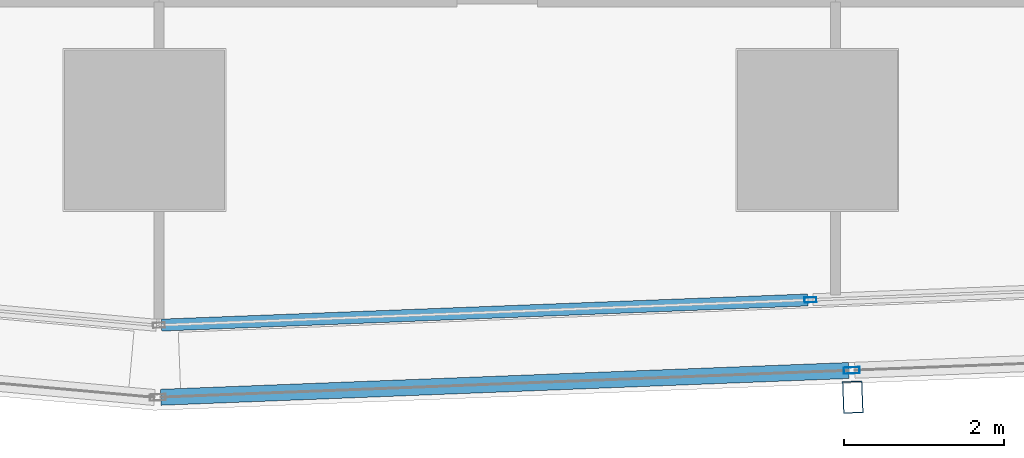
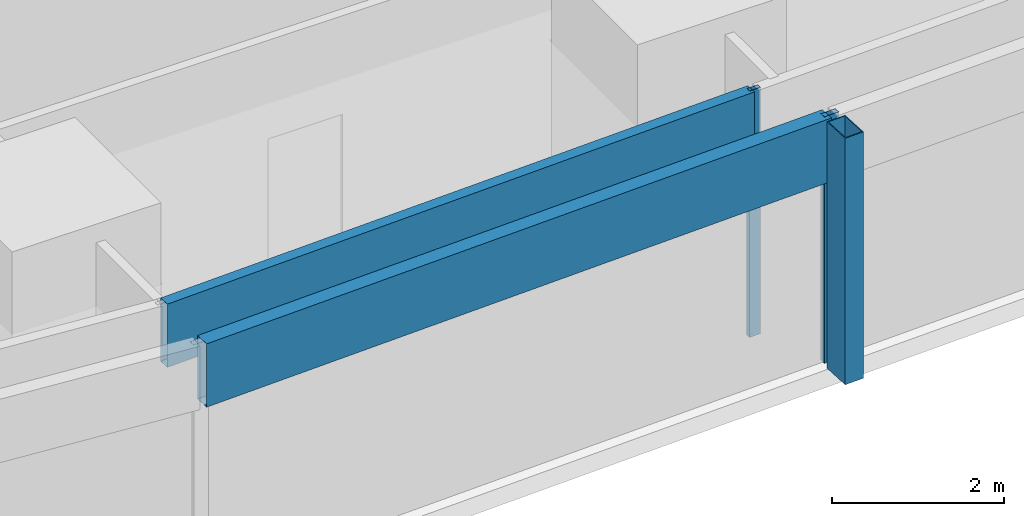
# One storey, part 6 of 39: 5 members, 2 elements without a shape of their own.
"""IFC4 building model written with IfcOpenShell, lengths in metres."""

import ifcopenshell
import ifcopenshell.guid

model = None  # the IFC model being written
_history = None  # IfcOwnerHistory: only IFC2X3 demands one
_inside = {}  # id of a spatial element -> (the spatial element, [elements in it])
_under = {}  # id of a project, library or spatial element -> (it, [spatial elements below it])
_declared = {}  # id of a project -> (the project, [libraries it declares])
_typed = {}  # id of a type object -> (the type object, [elements of that type])
_made_of = {}  # id of a material, layer set ... -> (it, [elements and type objects made of it])


def new_model(schema):
    """Start an empty IFC model of exactly this schema.

    Asked for "IFC4X3", IfcOpenShell would pick the latest addendum, in which some entities
    have other attributes; the version numbers below select the first issue.
    IFC2X3 requires an IfcOwnerHistory on every rooted entity: one is made here for all.
    """
    global model, _history
    if schema == "IFC4X3":
        model = ifcopenshell.file(schema_version=(4, 3, 0, 0))
    else:
        model = ifcopenshell.file(schema=schema)
    _inside.clear()
    _under.clear()
    _declared.clear()
    _typed.clear()
    _made_of.clear()
    _history = None
    if model.schema == "IFC2X3":
        org = make("IfcOrganization", Name="unknown")
        user = make(
            "IfcPersonAndOrganization",
            ThePerson=make("IfcPerson", FamilyName="unknown"),
            TheOrganization=org,
        )
        app = make(
            "IfcApplication",
            ApplicationDeveloper=org,
            Version="unknown",
            ApplicationFullName="unknown",
            ApplicationIdentifier="unknown",
        )
        _history = make(
            "IfcOwnerHistory",
            OwningUser=user,
            OwningApplication=app,
            ChangeAction="ADDED",
            CreationDate=0,
        )
    return model


def make(cls, **values):
    """One entity of the class cls with the attributes given. An attribute that is None is left unset."""
    return model.create_entity(
        cls, **{name: value for name, value in values.items() if value is not None}
    )


def rooted(cls, **values):
    """An entity with a GlobalId (a new one), such as an element, a storey or a relation."""
    return make(cls, GlobalId=ifcopenshell.guid.new(), OwnerHistory=_history, **values)


def si_unit(unit_type, name, prefix=None):
    """IfcSIUnit, for example si_unit("LENGTHUNIT", "METRE", prefix="MILLI")."""
    return make("IfcSIUnit", UnitType=unit_type, Prefix=prefix, Name=name)


def assignment(units):
    """IfcUnitAssignment: the units of a project."""
    return None if units is None else make("IfcUnitAssignment", Units=units)


def point(xyz):
    """IfcCartesianPoint."""
    return None if xyz is None else make("IfcCartesianPoint", Coordinates=xyz)


def direction(xyz):
    """IfcDirection."""
    return None if xyz is None else make("IfcDirection", DirectionRatios=xyz)


def frame(location, z_axis=None, x_axis=None):
    """IfcAxis2Placement3D, a coordinate frame: its origin and axes. An axis left out is left unset."""
    return make(
        "IfcAxis2Placement3D",
        Location=point(location),
        Axis=direction(z_axis),
        RefDirection=direction(x_axis),
    )


def frame_2d(location, x_axis=None):
    """IfcAxis2Placement2D, a coordinate frame in the plane: its origin and x axis."""
    return make(
        "IfcAxis2Placement2D", Location=point(location), RefDirection=direction(x_axis)
    )


def origin():
    """The frame at (0, 0, 0) with its axes left unset."""
    return frame((0.0, 0.0, 0.0))


def origin_2d():
    """The frame at (0, 0) in the plane with its x axis left unset."""
    return frame_2d((0.0, 0.0))


def place(relative_to, where):
    """IfcLocalPlacement: puts the frame where relative to a parent placement (None: the world)."""
    return make(
        "IfcLocalPlacement", PlacementRelTo=relative_to, RelativePlacement=where
    )


def context(
    kind, dimensions, precision=None, world=None, true_north=None, identifier=None
):
    """IfcGeometricRepresentationContext, for example the 3D "Model" context."""
    return make(
        "IfcGeometricRepresentationContext",
        ContextIdentifier=identifier,
        ContextType=kind,
        CoordinateSpaceDimension=dimensions,
        Precision=precision,
        WorldCoordinateSystem=world,
        TrueNorth=true_north,
    )


def subcontext(parent, identifier, kind, view, scale=None):
    """IfcGeometricRepresentationSubContext, for example "Body" below "Model"."""
    return make(
        "IfcGeometricRepresentationSubContext",
        ContextIdentifier=identifier,
        ContextType=kind,
        ParentContext=parent,
        TargetScale=scale,
        TargetView=view,
    )


def project(units=None, contexts=None):
    """IfcProject with its units and contexts."""
    return rooted(
        "IfcProject",
        Name="project",
        RepresentationContexts=contexts,
        UnitsInContext=assignment(units),
    )


def spatial(cls, under=None, at=None, **own):
    """A site, building, storey or space (cls), placed at a placement, below another one or the project."""
    s = rooted(cls, ObjectPlacement=at, **own)
    if under is not None:
        _under.setdefault(under.id(), (under, []))[1].append(s)
    return s


def profile(cls, at=None, kind="AREA", **sizes):
    """A parametric profile (cls). Its sizes go by their IFC names, for example OverallWidth=200.0."""
    return make(cls, ProfileType=kind, Position=at, **sizes)


def hollow_rectangle(**sizes):
    """IfcRectangleHollowProfileDef."""
    return profile("IfcRectangleHollowProfileDef", **sizes)


def extrude(swept, where, along, depth):
    """IfcExtrudedAreaSolid: the profile swept, set in the frame where, extruded along a direction by depth."""
    return make(
        "IfcExtrudedAreaSolid",
        SweptArea=swept,
        Position=where,
        ExtrudedDirection=direction(along),
        Depth=depth,
    )


def shape(context_of_items, identifier, shape_type, items):
    """IfcShapeRepresentation: the items that make up one representation, for example the "Body"."""
    return make(
        "IfcShapeRepresentation",
        ContextOfItems=context_of_items,
        RepresentationIdentifier=identifier,
        RepresentationType=shape_type,
        Items=items,
    )


def material(Name=None, Category=None):
    """IfcMaterial."""
    return make("IfcMaterial", Name=Name, Category=Category)


def material_profile(
    of_material, cross_section, Name=None, Category=None, Priority=None
):
    """IfcMaterialProfile: a cross section and its material."""
    return make(
        "IfcMaterialProfile",
        Name=Name,
        Material=of_material,
        Profile=cross_section,
        Priority=Priority,
        Category=Category,
    )


def profile_set(profiles, Name=None, composite=None):
    """IfcMaterialProfileSet."""
    return make(
        "IfcMaterialProfileSet",
        Name=Name,
        MaterialProfiles=profiles,
        CompositeProfile=composite,
    )


def made_of(thing, what):
    """Note that an element or type object is made of a material, layer set ...; save() writes the relation."""
    if what is not None:
        _made_of.setdefault(what.id(), (what, []))[1].append(thing)
    return thing


def type_object(cls, material=None, **own):
    """A type object (cls), such as IfcWallType, which elements share."""
    return made_of(rooted(cls, **own), material)


def element(
    cls,
    number,
    at=None,
    inside=None,
    cuts=None,
    type_object=None,
    material=None,
    context=None,
    identifier="Body",
    shape_type=None,
    held_by="IfcProductDefinitionShape",
    body=None,
    shapes=None,
    **own,
):
    """One element of the class cls, such as IfcWall. Its Tag is "e" and its number.

    at: its placement. inside: the storey or other place that contains it. cuts: it is an
    opening in that element (IfcRelVoidsElement). A single representation is given by context,
    identifier, shape_type and body (its items); several are given by shapes. held_by: the class
    of the entity that holds the representations. save() writes the other relations.
    """
    e = rooted(cls, Tag="e%d" % number, ObjectPlacement=at, **own)
    if body is not None:
        shapes = [shape(context, identifier, shape_type, body)]
    if shapes is not None:
        e.Representation = make(held_by, Representations=shapes)
    if inside is not None:
        _inside.setdefault(inside.id(), (inside, []))[1].append(e)
    if cuts is not None:
        rooted(
            "IfcRelVoidsElement", RelatingBuildingElement=cuts, RelatedOpeningElement=e
        )
    if type_object is not None:
        _typed.setdefault(type_object.id(), (type_object, []))[1].append(e)
    return made_of(e, material)


def aggregate(whole, parts):
    """IfcRelAggregates: a whole, such as a stair, and the parts it consists of."""
    return rooted("IfcRelAggregates", RelatingObject=whole, RelatedObjects=parts)


def save(model, path):
    """Write the relations noted so far, then the file.

    IfcRelAggregates (storeys below a building ...), IfcRelContainedInSpatialStructure (elements
    in a storey), IfcRelDefinesByType, IfcRelAssociatesMaterial and IfcRelDeclares: one each for
    every whole, place, type object, material and project.
    """
    for whole, parts in _under.values():
        aggregate(whole, parts)
    for where, things in _inside.values():
        rooted(
            "IfcRelContainedInSpatialStructure",
            RelatedElements=things,
            RelatingStructure=where,
        )
    for kind, things in _typed.values():
        rooted("IfcRelDefinesByType", RelatedObjects=things, RelatingType=kind)
    for what, things in _made_of.values():
        rooted("IfcRelAssociatesMaterial", RelatedObjects=things, RelatingMaterial=what)
    for by, libraries in _declared.values():
        rooted("IfcRelDeclares", RelatingContext=by, RelatedDefinitions=libraries)
    model.write(path)


model = new_model("IFC4")

# Units and contexts
model_context = context("Model", 3, precision=1e-05, world=origin(), true_north=direction((0.0, 1.0)))
body_context = subcontext(model_context, "Body", "Model", "MODEL_VIEW")
ifc_project = project(units=[si_unit("LENGTHUNIT", "METRE"), si_unit("AREAUNIT", "SQUARE_METRE"), si_unit("VOLUMEUNIT", "CUBIC_METRE"), si_unit("PLANEANGLEUNIT", "RADIAN"), si_unit("MASSUNIT", "GRAM", prefix="KILO")], contexts=[model_context])

# Site, building, storey
site_placement = place(None, origin())
site = spatial("IfcSite", under=ifc_project, at=site_placement, CompositionType="ELEMENT")
building_placement = place(site_placement, origin())
building = spatial("IfcBuilding", under=site, at=building_placement, Name="Rekha Terrace Tower", CompositionType="ELEMENT")
storey_placement = place(building_placement, frame((0.0, 0.0, 151.550048828125)))
storey = spatial("IfcBuildingStorey", under=building, at=storey_placement, Name="L38", CompositionType="ELEMENT", Elevation=151.550048828125)

# Curtain wall, member
ifc_material_1 = material(Name="Aluminium framing", Category="aluminium")
curtain_wall_type_1 = type_object("IfcCurtainWallType", Name="CW2 double skin outer glazing", PredefinedType="USERDEFINED", material=ifc_material_1)
curtain_wall_1_placement = place(storey_placement, origin())
curtain_wall_1 = element("IfcCurtainWall", 1, at=curtain_wall_1_placement, inside=storey, type_object=curtain_wall_type_1, Name="CW2 double skin outer glazing", ObjectType="DOUBLE SKIN OUTER GLAZING", PredefinedType="USERDEFINED")
ifc_material_2 = material(Name="Steel S355 with fluorocarbon finish", Category="steel")
ifc_material_profile_1 = material_profile(ifc_material_2, hollow_rectangle(XDim=0.25, YDim=0.39990234375, WallThickness=0.012451171875, at=origin_2d()), Name="RHS400x250x12.5")
ifc_profile_set_1 = profile_set([ifc_material_profile_1], Name="Steel S355 with fluorocarbon finish")
member_type_1 = type_object("IfcMemberType", Name="BL1 facade blade RHS 400 x 250", PredefinedType="USERDEFINED", material=ifc_profile_set_1)
member_1_placement = place(storey_placement, frame((34.042236328125, 13.46435546875, 0.0), z_axis=(0.0, 0.0, 1.0), x_axis=(0.999243494356, 0.038890088543, 0.0)))
member_1 = element("IfcMember", 2, at=member_1_placement, type_object=member_type_1, Name="Facade blade", ObjectType="FACADE BLADE", PredefinedType="USERDEFINED", context=body_context, shape_type="SweptSolid", body=[
    extrude(hollow_rectangle(XDim=0.25, YDim=0.39990234375, WallThickness=0.012451171875, at=origin_2d()), origin(), (0.0, 0.0, 1.0), 3.5),
])

# Curtain wall, members
curtain_wall_type_2 = type_object("IfcCurtainWallType", Name="CW1 double skin inner glazing", PredefinedType="USERDEFINED", material=ifc_material_1)
curtain_wall_2_placement = place(storey_placement, origin())
curtain_wall_2 = element("IfcCurtainWall", 3, at=curtain_wall_2_placement, inside=storey, type_object=curtain_wall_type_2, Name="CW1 double skin inner glazing", ObjectType="DOUBLE SKIN INNER GLAZING", PredefinedType="USERDEFINED")
ifc_material_3 = material(Name="Aluminium mullion section", Category="aluminium")
ifc_material_profile_2 = material_profile(ifc_material_3, hollow_rectangle(XDim=0.06494140625, YDim=0.14990234375, WallThickness=0.00390625, at=origin_2d()), Name="AL RHS 65x150")
ifc_profile_set_2 = profile_set([ifc_material_profile_2], Name="Aluminium mullion section")
member_type_2 = type_object("IfcMemberType", Name="CW1 mullion RHS 65 x 150", PredefinedType="MULLION", material=ifc_profile_set_2)
member_2_placement = place(storey_placement, frame((33.51318359375, 14.6796875, 0.0), z_axis=(0.0, 0.0, 1.0), x_axis=(-0.038889971328, 0.999243498918, 0.0)))
member_2 = element("IfcMember", 4, at=member_2_placement, type_object=member_type_2, Name="CW1 mullion 2", PredefinedType="MULLION", context=body_context, shape_type="SweptSolid", body=[
    extrude(hollow_rectangle(XDim=0.06494140625, YDim=0.14990234375, WallThickness=0.00390625, at=origin_2d()), origin(), (0.0, 0.0, 1.0), 3.5),
])
ifc_material_4 = material(Name="Insulated aluminium spandrel box", Category="aluminium")
ifc_material_profile_3 = material_profile(ifc_material_4, hollow_rectangle(XDim=0.14990234375, YDim=0.89990234375, WallThickness=0.0029296875, at=origin_2d()), Name="AL SPANDREL BOX 150x900")
ifc_profile_set_3 = profile_set([ifc_material_profile_3], Name="Insulated aluminium spandrel box")
member_type_3 = type_object("IfcMemberType", Name="CW1 spandrel transom 150 x 900", PredefinedType="USERDEFINED", material=ifc_profile_set_3)
member_3_placement = place(storey_placement, frame((25.412353515625, 14.364501953125, 3.050048828125), z_axis=(0.999243744226, 0.038883667849, 0.0), x_axis=(-0.038883667849, 0.999243744226, 0.0)))
member_3 = element("IfcMember", 5, at=member_3_placement, type_object=member_type_3, Name="CW1 spandrel transom 1", ObjectType="TRANSOM", PredefinedType="USERDEFINED", context=body_context, shape_type="SweptSolid", body=[
    extrude(hollow_rectangle(XDim=0.14990234375, YDim=0.89990234375, WallThickness=0.0029296875, at=origin_2d()), origin(), (0.0, 0.0, 1.0), 8.074462890625),
])
aggregate(curtain_wall_2, [member_2, member_3])

# Member
ifc_material_profile_4 = material_profile(ifc_material_3, hollow_rectangle(XDim=0.080078125, YDim=0.199951171875, WallThickness=0.00390625, at=origin_2d()), Name="AL RHS 80x200")
ifc_profile_set_4 = profile_set([ifc_material_profile_4], Name="Aluminium mullion section")
member_type_4 = type_object("IfcMemberType", Name="CW2 mullion RHS 80 x 200", PredefinedType="MULLION", material=ifc_profile_set_4)
member_4_placement = place(storey_placement, frame((34.029052734375, 13.799072265625, 0.0), z_axis=(0.0, 0.0, 1.0), x_axis=(-0.038889971345, 0.999243498917, 0.0)))
member_4 = element("IfcMember", 6, at=member_4_placement, type_object=member_type_4, Name="CW2 mullion 2", PredefinedType="MULLION", context=body_context, shape_type="SweptSolid", body=[
    extrude(hollow_rectangle(XDim=0.080078125, YDim=0.199951171875, WallThickness=0.00390625, at=origin_2d()), origin(), (0.0, 0.0, 1.0), 3.5),
])

ifc_material_profile_5 = material_profile(ifc_material_4, hollow_rectangle(XDim=0.199951171875, YDim=0.89990234375, WallThickness=0.0029296875, at=origin_2d()), Name="AL SPANDREL BOX 200x900")
ifc_profile_set_5 = profile_set([ifc_material_profile_5], Name="Insulated aluminium spandrel box")
member_type_5 = type_object("IfcMemberType", Name="CW2 spandrel transom 200 x 900", PredefinedType="USERDEFINED", material=ifc_profile_set_5)
member_5_placement = place(storey_placement, frame((25.404052734375, 13.46337890625, 3.050048828125), z_axis=(0.999243058466, 0.038901286707, 0.0), x_axis=(-0.038901286707, 0.999243058466, 0.0)))
member_5 = element("IfcMember", 7, at=member_5_placement, type_object=member_type_5, Name="CW2 spandrel transom 1", ObjectType="TRANSOM", PredefinedType="USERDEFINED", context=body_context, shape_type="SweptSolid", body=[
    extrude(hollow_rectangle(XDim=0.199951171875, YDim=0.89990234375, WallThickness=0.0029296875, at=origin_2d()), origin(), (0.0, 0.0, 1.0), 8.591796875),
])

aggregate(curtain_wall_1, [member_4, member_5, member_1])

save(model, "model.ifc")
